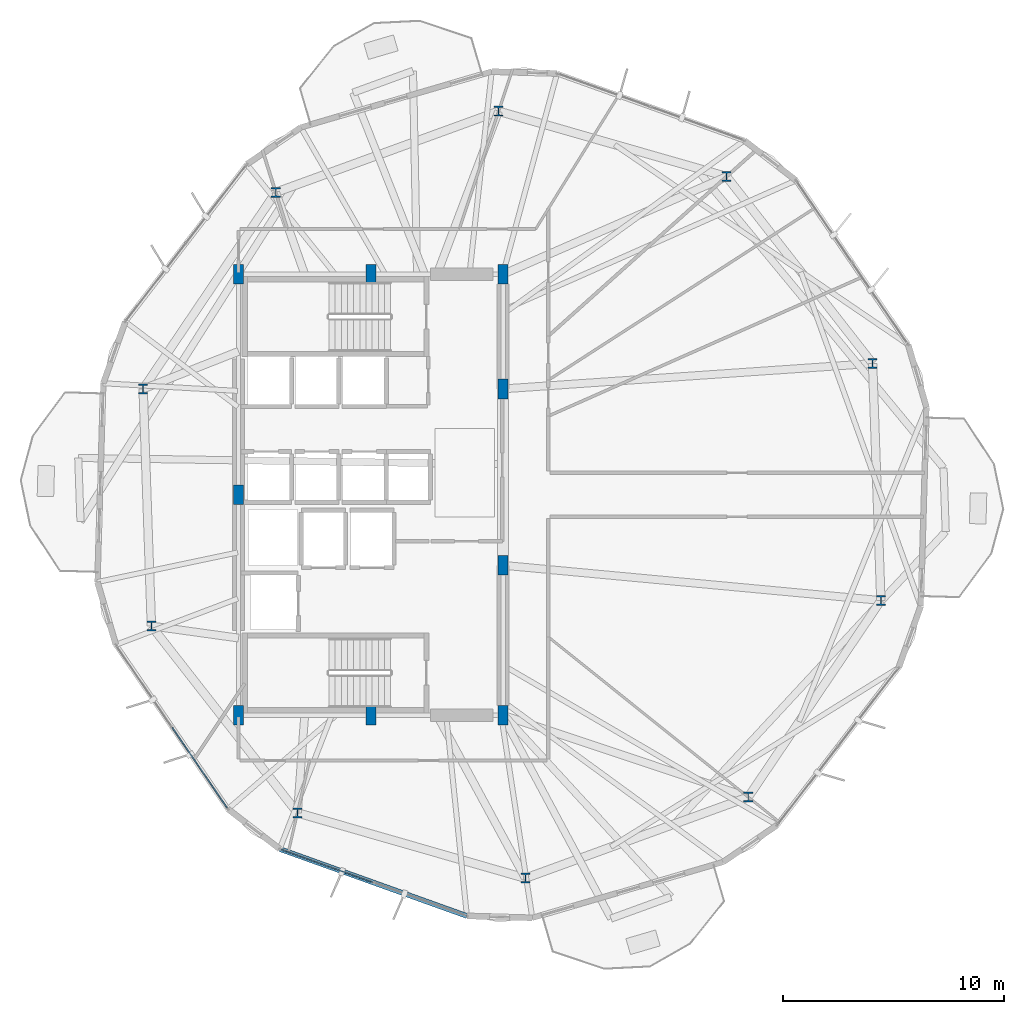
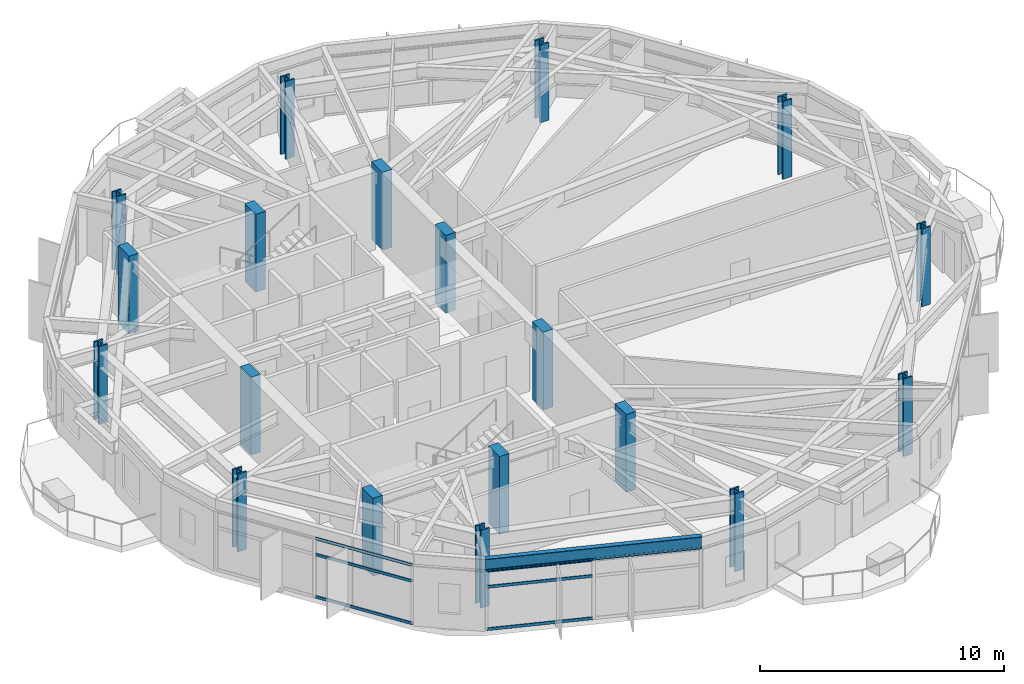
# One storey, part 1 of 24: 19 columns, 6 members, 1 beam, 2 elements without a shape of their own.
"""IFC4 building model written with IfcOpenShell, lengths in metres."""

from ifc_helpers import new_model, si_unit, direction, frame, origin, origin_2d, place, context, subcontext, project, spatial, rectangle, hollow_rectangle, i_section, extrude, material, layer, layer_set, material_profile, profile_set, type_object, element, aggregate, save


model = new_model("IFC4")

# Units and contexts
model_context = context("Model", 3, precision=1e-05, world=origin(), true_north=direction((0.0, 1.0)))
body_context = subcontext(model_context, "Body", "Model", "MODEL_VIEW")
ifc_project = project(units=[si_unit("LENGTHUNIT", "METRE"), si_unit("AREAUNIT", "SQUARE_METRE"), si_unit("VOLUMEUNIT", "CUBIC_METRE"), si_unit("PLANEANGLEUNIT", "RADIAN"), si_unit("MASSUNIT", "GRAM", prefix="KILO")], contexts=[model_context])

# Site, building, storey
site_placement = place(None, origin())
site = spatial("IfcSite", under=ifc_project, at=site_placement, CompositionType="ELEMENT")
building_placement = place(site_placement, origin())
building = spatial("IfcBuilding", under=site, at=building_placement, Name="Soratama Intermodal Tower", CompositionType="ELEMENT")
storey_placement = place(building_placement, frame((0.0, 0.0, 91.300048828125)))
storey = spatial("IfcBuildingStorey", under=building, at=storey_placement, Name="L21", CompositionType="ELEMENT", Elevation=91.300048828125)

# Columns
ifc_material_1 = material(Name="Structural steel ASTM A992 Grade 50", Category="steel")
ifc_material_profile_1 = material_profile(ifc_material_1, i_section(OverallWidth=0.41796875, OverallDepth=0.455078125, WebThickness=0.0419921875, FlangeThickness=0.067626953125, FilletRadius=0.0380859375, at=origin_2d()), Name="W14X370")
ifc_profile_set_1 = profile_set([ifc_material_profile_1], Name="Structural steel ASTM A992 Grade 50")
column_type_1 = type_object("IfcColumnType", Name="COL-ZB-W14X370", PredefinedType="COLUMN", material=ifc_profile_set_1)
for number, where, z_axis, x_axis, name in (
    (1, (61.3505859375, 30.951171875, 0.0), (0.0, 0.0, 1.0), (1.0, 0.0, 0.0), "L21 Tower Ring Column R01"),
    (2, (54.72998046875, 39.42529296875, 0.0), (0.0, 0.0, 1.0), (1.0, 0.0, 0.0), "L21 Tower Ring Column R02"),
    (3, (44.392578125, 42.389404296875, 0.0), (0.0, 0.0, 1.0), (1.0, 0.0, 0.0), "L21 Tower Ring Column R03"),
    (4, (34.28759765625, 38.71142578125, 0.0), (0.0, 0.0, 1.0), (1.0, 0.0, 0.0), "L21 Tower Ring Column R04"),
    (5, (28.27392578125, 29.796142578125, 0.0), (0.0, 0.0, 1.0), (1.0, 0.0, 0.0), "L21 Tower Ring Column R05"),
    (6, (28.6494140625, 19.048828125, 0.0), (0.0, 0.0, 1.0), (1.0, 0.0, 0.0), "L21 Tower Ring Column R06"),
    (7, (35.27001953125, 10.57470703125, 0.0), (0.0, 0.0, 1.0), (1.0, 0.0, 0.0), "L21 Tower Ring Column R07"),
    (8, (45.607421875, 7.610595703125, 0.0), (0.0, 0.0, 1.0), (1.0, 0.0, 0.0), "L21 Tower Ring Column R08"),
    (9, (55.71240234375, 11.28857421875, 0.0), (0.0, 0.0, 1.0), (1.0, 0.0, 0.0), "L21 Tower Ring Column R09"),
    (10, (61.72607421875, 20.203857421875, 0.0), (0.0, 0.0, 1.0), (1.0, 0.0, 0.0), "L21 Tower Ring Column R10"),
):
    element("IfcColumn", number, at=place(storey_placement, frame(where, z_axis=z_axis, x_axis=x_axis)), inside=storey, type_object=column_type_1, Name=name, PredefinedType="COLUMN", context=body_context, shape_type="SweptSolid", body=[
        extrude(i_section(OverallWidth=0.41796875, OverallDepth=0.455078125, WebThickness=0.0419921875, FlangeThickness=0.067626953125, FilletRadius=0.0380859375, at=origin_2d()), origin(), (0.0, 0.0, 1.0), 3.89990234375),
    ])
ifc_material_2 = material(Name="Concrete f'c 56 MPa", Category="concrete")
ifc_material_profile_2 = material_profile(ifc_material_2, rectangle(XDim=0.449951171875, YDim=0.89990234375, at=origin_2d()), Name="RC450X900")
ifc_profile_set_2 = profile_set([ifc_material_profile_2], Name="Concrete f'c 56 MPa")
column_type_2 = type_object("IfcColumnType", Name="PIL-CORE-450X900", PredefinedType="PILASTER", material=ifc_profile_set_2)
for number, where, z_axis, x_axis, name in (
    (11, (32.60009765625, 15.0, 0.0), (0.0, 0.0, 1.0), (1.0, 0.0, 0.0), "L21 Core Pilaster 1"),
    (12, (32.60009765625, 25.0, 0.0), (0.0, 0.0, 1.0), (1.0, 0.0, 0.0), "L21 Core Pilaster 2"),
    (13, (32.60009765625, 35.0, 0.0), (0.0, 0.0, 1.0), (1.0, 0.0, 0.0), "L21 Core Pilaster 3"),
    (14, (38.60009765625, 15.0, 0.0), (0.0, 0.0, 1.0), (1.0, 0.0, 0.0), "L21 Core Pilaster 4"),
    (15, (38.60009765625, 35.0, 0.0), (0.0, 0.0, 1.0), (1.0, 0.0, 0.0), "L21 Core Pilaster 5"),
    (16, (44.60009765625, 15.0, 0.0), (0.0, 0.0, 1.0), (1.0, 0.0, 0.0), "L21 Core Pilaster 6"),
    (17, (44.60009765625, 21.800048828125, 0.0), (0.0, 0.0, 1.0), (1.0, 0.0, 0.0), "L21 Core Pilaster 7"),
    (18, (44.60009765625, 29.800048828125, 0.0), (0.0, 0.0, 1.0), (1.0, 0.0, 0.0), "L21 Core Pilaster 8"),
    (19, (44.60009765625, 35.0, 0.0), (0.0, 0.0, 1.0), (1.0, 0.0, 0.0), "L21 Core Pilaster 9"),
):
    element("IfcColumn", number, at=place(storey_placement, frame(where, z_axis=z_axis, x_axis=x_axis)), inside=storey, type_object=column_type_2, Name=name, PredefinedType="PILASTER", context=body_context, shape_type="SweptSolid", body=[
        extrude(rectangle(XDim=0.449951171875, YDim=0.89990234375, at=origin_2d()), origin(), (0.0, 0.0, 1.0), 3.89990234375),
    ])

# Beam
ifc_material_3 = material(Name="Structural steel ASTM A992 Grade 50", Category="steel")
ifc_material_profile_3 = material_profile(ifc_material_3, i_section(OverallWidth=0.22900390625, OverallDepth=0.612060546875, WebThickness=0.011962890625, FlangeThickness=0.01953125, FilletRadius=0.012939453125, at=origin_2d()), Name="W24X84")
ifc_profile_set_3 = profile_set([ifc_material_profile_3], Name="Structural steel ASTM A992 Grade 50")
beam_type = type_object("IfcBeamType", Name="BM-SPN-W24X84", PredefinedType="SPANDREL", material=ifc_profile_set_3)
beam_placement = place(storey_placement, frame((34.466064453125, 8.93408203125, 3.2939453125), z_axis=(0.941567199784, -0.336825189513, 0.0), x_axis=(0.336825189513, 0.941567199784, 0.0)))
element("IfcBeam", 20, at=beam_placement, inside=storey, type_object=beam_type, Name="BS-L21-F07", PredefinedType="SPANDREL", context=body_context, shape_type="SweptSolid", body=[
    extrude(i_section(OverallWidth=0.22900390625, OverallDepth=0.612060546875, WebThickness=0.011962890625, FlangeThickness=0.01953125, FilletRadius=0.012939453125, at=origin_2d()), origin(), (0.0, 0.0, 1.0), 9.016845703125),
])

# Curtain wall, members
ifc_material_4 = material(Name="Double-glazed aluminium curtain wall", Category="aluminium")
ifc_layer = layer(ifc_material_4, 0.159912109375)
ifc_layer_set = layer_set([ifc_layer], Name="Double-glazed aluminium curtain wall")
curtain_wall_type = type_object("IfcCurtainWallType", Name="CW-SYS-3", PredefinedType="NOTDEFINED", material=ifc_layer_set)
curtain_wall_1_placement = place(storey_placement, origin())
curtain_wall_1 = element("IfcCurtainWall", 21, at=curtain_wall_1_placement, inside=storey, type_object=curtain_wall_type, Name="L21 Faceted Curtain Wall F06", PredefinedType="NOTDEFINED")
ifc_material_5 = material(Name="Anodised aluminium AA 6063-T6", Category="aluminium")
ifc_material_profile_4 = material_profile(ifc_material_5, hollow_rectangle(XDim=0.06494140625, YDim=0.14990234375, WallThickness=0.0048828125, InnerFilletRadius=0.0048828125, OuterFilletRadius=0.010009765625, at=origin_2d()), Name="CWT150X65X5")
ifc_profile_set_4 = profile_set([ifc_material_profile_4], Name="Anodised aluminium AA 6063-T6")
member_type = type_object("IfcMemberType", Name="TT-CWT-1", PredefinedType="USERDEFINED", material=ifc_profile_set_4)
member_1_placement = place(storey_placement, frame((29.5927734375, 14.44580078125, 0.030029296875), z_axis=(0.563821942708, -0.825896371781, 0.0), x_axis=(0.825896371781, 0.563821942708, 0.0)))
member_1 = element("IfcMember", 22, at=member_1_placement, type_object=member_type, Name="CW-3 transom 2.1", ObjectType="TRANSOM", PredefinedType="USERDEFINED", context=body_context, shape_type="SweptSolid", body=[
    extrude(hollow_rectangle(XDim=0.06494140625, YDim=0.14990234375, WallThickness=0.0048828125, InnerFilletRadius=0.0048828125, OuterFilletRadius=0.010009765625, at=origin_2d()), origin(), (0.0, 0.0, 1.0), 4.41845703125),
])
member_2_placement = place(storey_placement, frame((29.5927734375, 14.44580078125, 2.14990234375), z_axis=(0.563821942708, -0.825896371781, 0.0), x_axis=(0.825896371781, 0.563821942708, 0.0)))
member_2 = element("IfcMember", 23, at=member_2_placement, type_object=member_type, Name="CW-3 transom 2.2", ObjectType="TRANSOM", PredefinedType="USERDEFINED", context=body_context, shape_type="SweptSolid", body=[
    extrude(hollow_rectangle(XDim=0.06494140625, YDim=0.14990234375, WallThickness=0.0048828125, InnerFilletRadius=0.0048828125, OuterFilletRadius=0.010009765625, at=origin_2d()), origin(), (0.0, 0.0, 1.0), 4.41845703125),
])
member_3_placement = place(storey_placement, frame((29.5927734375, 14.44580078125, 2.948974609375), z_axis=(0.563821942708, -0.825896371781, 0.0), x_axis=(0.825896371781, 0.563821942708, 0.0)))
member_3 = element("IfcMember", 24, at=member_3_placement, type_object=member_type, Name="CW-3 transom 2.3", ObjectType="TRANSOM", PredefinedType="USERDEFINED", context=body_context, shape_type="SweptSolid", body=[
    extrude(hollow_rectangle(XDim=0.06494140625, YDim=0.14990234375, WallThickness=0.0048828125, InnerFilletRadius=0.0048828125, OuterFilletRadius=0.010009765625, at=origin_2d()), origin(), (0.0, 0.0, 1.0), 4.41845703125),
])
aggregate(curtain_wall_1, [member_1, member_2, member_3])

curtain_wall_2_placement = place(storey_placement, origin())
curtain_wall_2 = element("IfcCurtainWall", 25, at=curtain_wall_2_placement, inside=storey, type_object=curtain_wall_type, Name="L21 Faceted Curtain Wall F07", PredefinedType="NOTDEFINED")
member_4_placement = place(storey_placement, frame((34.522216796875, 8.91357421875, 0.030029296875), z_axis=(0.94158554829, -0.336773893365, 0.0), x_axis=(0.336773893365, 0.94158554829, 0.0)))
member_4 = element("IfcMember", 26, at=member_4_placement, type_object=member_type, Name="CW-3 transom 1.1", ObjectType="TRANSOM", PredefinedType="USERDEFINED", context=body_context, shape_type="SweptSolid", body=[
    extrude(hollow_rectangle(XDim=0.06494140625, YDim=0.14990234375, WallThickness=0.0048828125, InnerFilletRadius=0.0048828125, OuterFilletRadius=0.010009765625, at=origin_2d()), origin(), (0.0, 0.0, 1.0), 4.41845703125),
])
member_5_placement = place(storey_placement, frame((34.522216796875, 8.91357421875, 2.14990234375), z_axis=(0.94158554829, -0.336773893365, 0.0), x_axis=(0.336773893365, 0.94158554829, 0.0)))
member_5 = element("IfcMember", 27, at=member_5_placement, type_object=member_type, Name="CW-3 transom 1.2", ObjectType="TRANSOM", PredefinedType="USERDEFINED", context=body_context, shape_type="SweptSolid", body=[
    extrude(hollow_rectangle(XDim=0.06494140625, YDim=0.14990234375, WallThickness=0.0048828125, InnerFilletRadius=0.0048828125, OuterFilletRadius=0.010009765625, at=origin_2d()), origin(), (0.0, 0.0, 1.0), 4.41845703125),
])
member_6_placement = place(storey_placement, frame((34.522216796875, 8.91357421875, 2.948974609375), z_axis=(0.94158554829, -0.336773893365, 0.0), x_axis=(0.336773893365, 0.94158554829, 0.0)))
member_6 = element("IfcMember", 28, at=member_6_placement, type_object=member_type, Name="CW-3 transom 1.3", ObjectType="TRANSOM", PredefinedType="USERDEFINED", context=body_context, shape_type="SweptSolid", body=[
    extrude(hollow_rectangle(XDim=0.06494140625, YDim=0.14990234375, WallThickness=0.0048828125, InnerFilletRadius=0.0048828125, OuterFilletRadius=0.010009765625, at=origin_2d()), origin(), (0.0, 0.0, 1.0), 4.41845703125),
])
aggregate(curtain_wall_2, [member_4, member_5, member_6])

save(model, "model.ifc")
